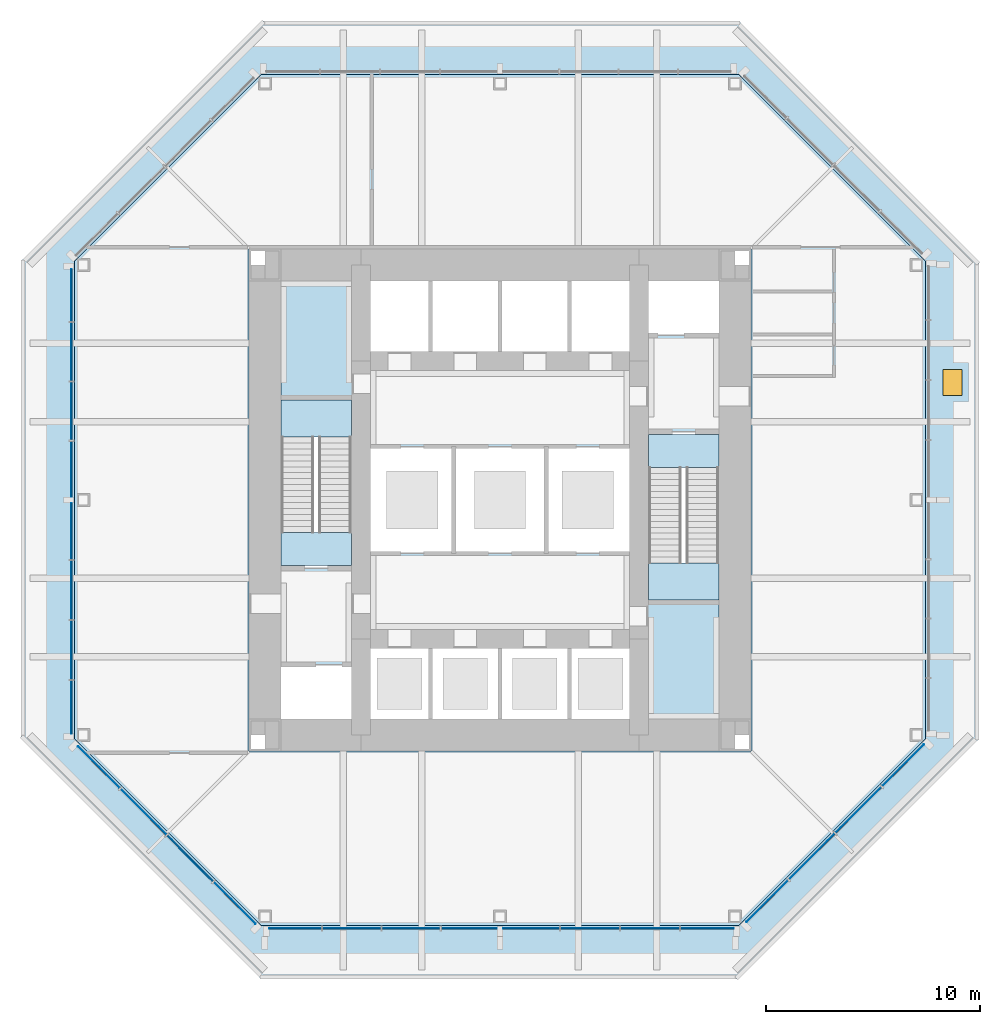
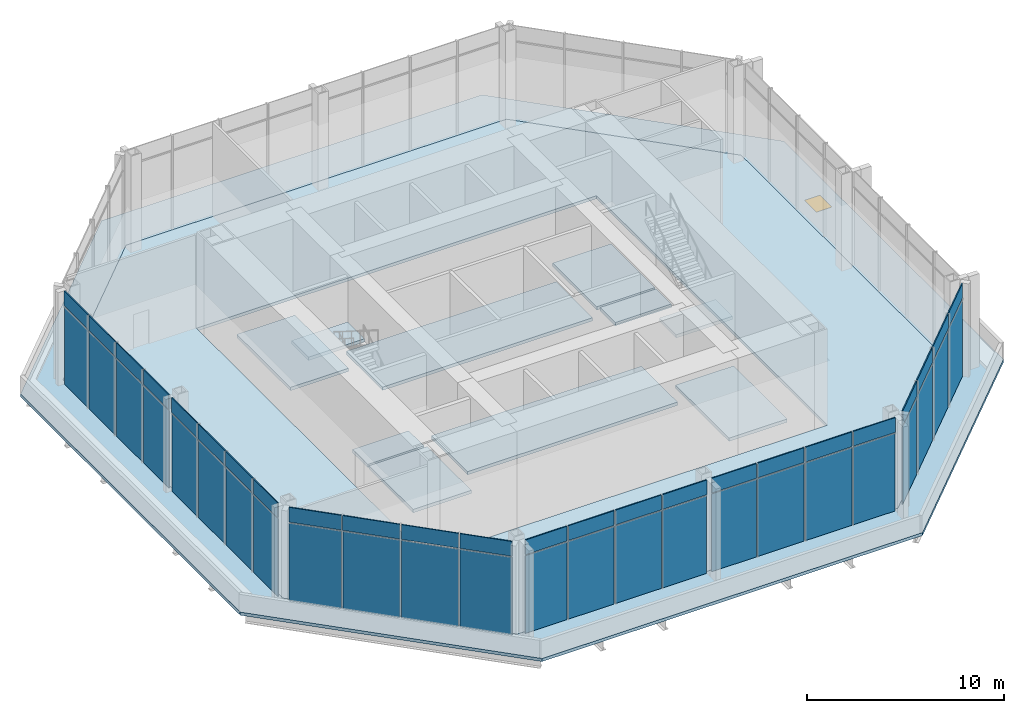
# One storey, part 5 of 10: 48 plates, 12 slabs, 1 window, 1 opening, 6 elements without a shape of their own.
"""IFC4 building model written with IfcOpenShell, lengths in metres."""

from ifc_helpers import new_model, si_unit, direction, frame, origin, origin_2d, place, context, subcontext, project, spatial, polyline, rectangle, outline, extrude, material, layer, layer_set, type_object, element, fill, aggregate, save


model = new_model("IFC4")

# Units and contexts
model_context = context("Model", 3, precision=1e-05, world=origin(), true_north=direction((0.0, 1.0)))
body_context = subcontext(model_context, "Body", "Model", "MODEL_VIEW")
ifc_project = project(units=[si_unit("LENGTHUNIT", "METRE"), si_unit("AREAUNIT", "SQUARE_METRE"), si_unit("VOLUMEUNIT", "CUBIC_METRE"), si_unit("PLANEANGLEUNIT", "RADIAN"), si_unit("MASSUNIT", "GRAM", prefix="KILO")], contexts=[model_context])

# Site, building, storey
site_placement = place(None, origin())
site = spatial("IfcSite", under=ifc_project, at=site_placement, CompositionType="ELEMENT")
building_placement = place(site_placement, origin())
building = spatial("IfcBuilding", under=site, at=building_placement, Name="Trevanion Tower", CompositionType="ELEMENT")
storey_placement = place(building_placement, frame((0.0, 0.0, 184.699951171875)))
storey = spatial("IfcBuildingStorey", under=building, at=storey_placement, Name="L43", CompositionType="ELEMENT", Elevation=184.699951171875)

# Curtain wall, plates
ifc_material_1 = material(Name="Aluminium and glass", Category="aluminium")
curtain_wall_type = type_object("IfcCurtainWallType", Name="CW3 curtain wall", PredefinedType="USERDEFINED", material=ifc_material_1)
curtain_wall_1_placement = place(storey_placement, origin())
curtain_wall_1 = element("IfcCurtainWall", 1, at=curtain_wall_1_placement, inside=storey, type_object=curtain_wall_type, Name="CW3 L43 4", ObjectType="UNITISED CURTAIN WALL", PredefinedType="USERDEFINED")
ifc_material_2 = material(Name="Aluminium spandrel panel", Category="aluminium")
ifc_layer_1 = layer(ifc_material_2, 0.06005859375)
ifc_layer_set_1 = layer_set([ifc_layer_1], Name="CW3 spandrel panel")
plate_type_1 = type_object("IfcPlateType", Name="CW3 spandrel panel", PredefinedType="CURTAIN_PANEL", material=ifc_layer_set_1)
plate_1_placement = place(storey_placement, frame((-20.050048828125, 9.579345703125, 4.8974609375), z_axis=(0.0, 0.0, 1.0), x_axis=(0.0, -1.0, 0.0)))
plate_1 = element("IfcPlate", 2, at=plate_1_placement, type_object=plate_type_1, Name="CW3 panel 1.2", PredefinedType="CURTAIN_PANEL", context=body_context, shape_type="SweptSolid", body=[
    extrude(rectangle(XDim=2.43701171875, YDim=0.06005859375, at=origin_2d()), origin(), (0.0, 0.0, 1.0), 0.91259765625),
])
plate_2_placement = place(storey_placement, frame((-20.050048828125, 6.93603515625, 4.8974609375), z_axis=(0.0, 0.0, 1.0), x_axis=(0.0, -1.0, 0.0)))
plate_2 = element("IfcPlate", 3, at=plate_2_placement, type_object=plate_type_1, Name="CW3 panel 2.2", PredefinedType="CURTAIN_PANEL", context=body_context, shape_type="SweptSolid", body=[
    extrude(rectangle(XDim=2.699462890625, YDim=0.06005859375, at=origin_2d()), origin(), (0.0, 0.0, 1.0), 0.91259765625),
])
plate_3_placement = place(storey_placement, frame((-20.050048828125, 4.16162109375, 4.8974609375), z_axis=(0.0, 0.0, 1.0), x_axis=(0.0, -1.0, 0.0)))
plate_3 = element("IfcPlate", 4, at=plate_3_placement, type_object=plate_type_1, Name="CW3 panel 3.2", PredefinedType="CURTAIN_PANEL", context=body_context, shape_type="SweptSolid", body=[
    extrude(rectangle(XDim=2.699462890625, YDim=0.06005859375, at=origin_2d()), origin(), (0.0, 0.0, 1.0), 0.91259765625),
])
plate_4_placement = place(storey_placement, frame((-20.050048828125, 1.443603515625, 4.8974609375), z_axis=(0.0, 0.0, 1.0), x_axis=(0.0, -1.0, 0.0)))
plate_4 = element("IfcPlate", 5, at=plate_4_placement, type_object=plate_type_1, Name="CW3 panel 4.2", PredefinedType="CURTAIN_PANEL", context=body_context, shape_type="SweptSolid", body=[
    extrude(rectangle(XDim=2.5869140625, YDim=0.06005859375, at=origin_2d()), origin(), (0.0, 0.0, 1.0), 0.91259765625),
])
plate_5_placement = place(storey_placement, frame((-20.050048828125, -1.459716796875, 4.8974609375), z_axis=(0.0, 0.0, 1.0), x_axis=(0.0, -1.0, 0.0)))
plate_5 = element("IfcPlate", 6, at=plate_5_placement, type_object=plate_type_1, Name="CW3 panel 5.2", PredefinedType="CURTAIN_PANEL", context=body_context, shape_type="SweptSolid", body=[
    extrude(rectangle(XDim=2.619384765625, YDim=0.06005859375, at=origin_2d()), origin(), (0.0, 0.0, 1.0), 0.91259765625),
])
plate_6_placement = place(storey_placement, frame((-20.050048828125, -4.21044921875, 4.8974609375), z_axis=(0.0, 0.0, 1.0), x_axis=(0.0, -1.0, 0.0)))
plate_6 = element("IfcPlate", 7, at=plate_6_placement, type_object=plate_type_1, Name="CW3 panel 6.2", PredefinedType="CURTAIN_PANEL", context=body_context, shape_type="SweptSolid", body=[
    extrude(rectangle(XDim=2.73193359375, YDim=0.06005859375, at=origin_2d()), origin(), (0.0, 0.0, 1.0), 0.91259765625),
])
plate_7_placement = place(storey_placement, frame((-20.050048828125, -7.017333984375, 4.8974609375), z_axis=(0.0, 0.0, 1.0), x_axis=(0.0, -1.0, 0.0)))
plate_7 = element("IfcPlate", 8, at=plate_7_placement, type_object=plate_type_1, Name="CW3 panel 7.2", PredefinedType="CURTAIN_PANEL", context=body_context, shape_type="SweptSolid", body=[
    extrude(rectangle(XDim=2.73193359375, YDim=0.06005859375, at=origin_2d()), origin(), (0.0, 0.0, 1.0), 0.91259765625),
])
plate_8_placement = place(storey_placement, frame((-20.050048828125, -9.693115234375, 4.8974609375), z_axis=(0.0, 0.0, 1.0), x_axis=(0.0, -1.0, 0.0)))
plate_8 = element("IfcPlate", 9, at=plate_8_placement, type_object=plate_type_1, Name="CW3 panel 8.2", PredefinedType="CURTAIN_PANEL", context=body_context, shape_type="SweptSolid", body=[
    extrude(rectangle(XDim=2.469482421875, YDim=0.06005859375, at=origin_2d()), origin(), (0.0, 0.0, 1.0), 0.91259765625),
])

curtain_wall_2_placement = place(storey_placement, origin())
curtain_wall_2 = element("IfcCurtainWall", 10, at=curtain_wall_2_placement, inside=storey, type_object=curtain_wall_type, Name="CW3 L43 5", ObjectType="UNITISED CURTAIN WALL", PredefinedType="USERDEFINED")
plate_9_placement = place(storey_placement, frame((-18.77392578125, -12.50390625, 4.8974609375), z_axis=(0.0, 0.0, 1.0), x_axis=(0.707106781187, -0.707106781187, 0.0)))
plate_9 = element("IfcPlate", 11, at=plate_9_placement, type_object=plate_type_1, Name="CW3 panel 1.2", PredefinedType="CURTAIN_PANEL", context=body_context, shape_type="SweptSolid", body=[
    extrude(rectangle(XDim=2.7490234375, YDim=0.06005859375, at=origin_2d()), origin(), (0.0, 0.0, 1.0), 0.91259765625),
])
plate_10_placement = place(storey_placement, frame((-16.68408203125, -14.593505859375, 4.8974609375), z_axis=(0.0, 0.0, 1.0), x_axis=(0.707106781187, -0.707106781187, 0.0)))
plate_10 = element("IfcPlate", 12, at=plate_10_placement, type_object=plate_type_1, Name="CW3 panel 2.2", PredefinedType="CURTAIN_PANEL", context=body_context, shape_type="SweptSolid", body=[
    extrude(rectangle(XDim=3.01171875, YDim=0.06005859375, at=origin_2d()), origin(), (0.0, 0.0, 1.0), 0.91259765625),
])
plate_11_placement = place(storey_placement, frame((-14.501708984375, -16.776123046875, 4.8974609375), z_axis=(0.0, 0.0, 1.0), x_axis=(0.707106781187, -0.707106781187, 0.0)))
plate_11 = element("IfcPlate", 13, at=plate_11_placement, type_object=plate_type_1, Name="CW3 panel 3.2", PredefinedType="CURTAIN_PANEL", context=body_context, shape_type="SweptSolid", body=[
    extrude(rectangle(XDim=3.01171875, YDim=0.06005859375, at=origin_2d()), origin(), (0.0, 0.0, 1.0), 0.91259765625),
])
plate_12_placement = place(storey_placement, frame((-12.411865234375, -18.865966796875, 4.8974609375), z_axis=(0.0, 0.0, 1.0), x_axis=(0.707106781187, -0.707106781187, 0.0)))
plate_12 = element("IfcPlate", 14, at=plate_12_placement, type_object=plate_type_1, Name="CW3 panel 4.2", PredefinedType="CURTAIN_PANEL", context=body_context, shape_type="SweptSolid", body=[
    extrude(rectangle(XDim=2.7490234375, YDim=0.06005859375, at=origin_2d()), origin(), (0.0, 0.0, 1.0), 0.91259765625),
])

curtain_wall_3_placement = place(storey_placement, origin())
curtain_wall_3 = element("IfcCurtainWall", 15, at=curtain_wall_3_placement, inside=storey, type_object=curtain_wall_type, Name="CW3 L43 6", ObjectType="UNITISED CURTAIN WALL", PredefinedType="USERDEFINED")
plate_13_placement = place(storey_placement, frame((-9.579345703125, -20.050048828125, 4.8974609375), z_axis=(0.0, 0.0, 1.0), x_axis=(1.0, 0.0, 0.0)))
plate_13 = element("IfcPlate", 16, at=plate_13_placement, type_object=plate_type_1, Name="CW3 panel 1.2", PredefinedType="CURTAIN_PANEL", context=body_context, shape_type="SweptSolid", body=[
    extrude(rectangle(XDim=2.43701171875, YDim=0.06005859375, at=origin_2d()), origin(), (0.0, 0.0, 1.0), 0.91259765625),
])
plate_14_placement = place(storey_placement, frame((-6.93603515625, -20.050048828125, 4.8974609375), z_axis=(0.0, 0.0, 1.0), x_axis=(1.0, 0.0, 0.0)))
plate_14 = element("IfcPlate", 17, at=plate_14_placement, type_object=plate_type_1, Name="CW3 panel 2.2", PredefinedType="CURTAIN_PANEL", context=body_context, shape_type="SweptSolid", body=[
    extrude(rectangle(XDim=2.699462890625, YDim=0.06005859375, at=origin_2d()), origin(), (0.0, 0.0, 1.0), 0.91259765625),
])
plate_15_placement = place(storey_placement, frame((-4.16162109375, -20.050048828125, 4.8974609375), z_axis=(0.0, 0.0, 1.0), x_axis=(1.0, 0.0, 0.0)))
plate_15 = element("IfcPlate", 18, at=plate_15_placement, type_object=plate_type_1, Name="CW3 panel 3.2", PredefinedType="CURTAIN_PANEL", context=body_context, shape_type="SweptSolid", body=[
    extrude(rectangle(XDim=2.699462890625, YDim=0.06005859375, at=origin_2d()), origin(), (0.0, 0.0, 1.0), 0.91259765625),
])
plate_16_placement = place(storey_placement, frame((-1.443603515625, -20.050048828125, 4.8974609375), z_axis=(0.0, 0.0, 1.0), x_axis=(1.0, 0.0, 0.0)))
plate_16 = element("IfcPlate", 19, at=plate_16_placement, type_object=plate_type_1, Name="CW3 panel 4.2", PredefinedType="CURTAIN_PANEL", context=body_context, shape_type="SweptSolid", body=[
    extrude(rectangle(XDim=2.5869140625, YDim=0.06005859375, at=origin_2d()), origin(), (0.0, 0.0, 1.0), 0.91259765625),
])
plate_17_placement = place(storey_placement, frame((1.459716796875, -20.050048828125, 4.8974609375), z_axis=(0.0, 0.0, 1.0), x_axis=(1.0, 0.0, 0.0)))
plate_17 = element("IfcPlate", 20, at=plate_17_placement, type_object=plate_type_1, Name="CW3 panel 5.2", PredefinedType="CURTAIN_PANEL", context=body_context, shape_type="SweptSolid", body=[
    extrude(rectangle(XDim=2.619384765625, YDim=0.06005859375, at=origin_2d()), origin(), (0.0, 0.0, 1.0), 0.91259765625),
])
plate_18_placement = place(storey_placement, frame((4.21044921875, -20.050048828125, 4.8974609375), z_axis=(0.0, 0.0, 1.0), x_axis=(1.0, 0.0, 0.0)))
plate_18 = element("IfcPlate", 21, at=plate_18_placement, type_object=plate_type_1, Name="CW3 panel 6.2", PredefinedType="CURTAIN_PANEL", context=body_context, shape_type="SweptSolid", body=[
    extrude(rectangle(XDim=2.73193359375, YDim=0.06005859375, at=origin_2d()), origin(), (0.0, 0.0, 1.0), 0.91259765625),
])
plate_19_placement = place(storey_placement, frame((7.017333984375, -20.050048828125, 4.8974609375), z_axis=(0.0, 0.0, 1.0), x_axis=(1.0, 0.0, 0.0)))
plate_19 = element("IfcPlate", 22, at=plate_19_placement, type_object=plate_type_1, Name="CW3 panel 7.2", PredefinedType="CURTAIN_PANEL", context=body_context, shape_type="SweptSolid", body=[
    extrude(rectangle(XDim=2.73193359375, YDim=0.06005859375, at=origin_2d()), origin(), (0.0, 0.0, 1.0), 0.91259765625),
])
plate_20_placement = place(storey_placement, frame((9.693115234375, -20.050048828125, 4.8974609375), z_axis=(0.0, 0.0, 1.0), x_axis=(1.0, 0.0, 0.0)))
plate_20 = element("IfcPlate", 23, at=plate_20_placement, type_object=plate_type_1, Name="CW3 panel 8.2", PredefinedType="CURTAIN_PANEL", context=body_context, shape_type="SweptSolid", body=[
    extrude(rectangle(XDim=2.469482421875, YDim=0.06005859375, at=origin_2d()), origin(), (0.0, 0.0, 1.0), 0.91259765625),
])

curtain_wall_4_placement = place(storey_placement, origin())
curtain_wall_4 = element("IfcCurtainWall", 24, at=curtain_wall_4_placement, inside=storey, type_object=curtain_wall_type, Name="CW3 L43 7", ObjectType="UNITISED CURTAIN WALL", PredefinedType="USERDEFINED")
plate_21_placement = place(storey_placement, frame((12.50390625, -18.77392578125, 4.8974609375), z_axis=(0.0, 0.0, 1.0), x_axis=(0.707106781187, 0.707106781187, 0.0)))
plate_21 = element("IfcPlate", 25, at=plate_21_placement, type_object=plate_type_1, Name="CW3 panel 1.2", PredefinedType="CURTAIN_PANEL", context=body_context, shape_type="SweptSolid", body=[
    extrude(rectangle(XDim=2.7490234375, YDim=0.06005859375, at=origin_2d()), origin(), (0.0, 0.0, 1.0), 0.91259765625),
])
plate_22_placement = place(storey_placement, frame((14.593505859375, -16.68408203125, 4.8974609375), z_axis=(0.0, 0.0, 1.0), x_axis=(0.707106781187, 0.707106781187, 0.0)))
plate_22 = element("IfcPlate", 26, at=plate_22_placement, type_object=plate_type_1, Name="CW3 panel 2.2", PredefinedType="CURTAIN_PANEL", context=body_context, shape_type="SweptSolid", body=[
    extrude(rectangle(XDim=3.01171875, YDim=0.06005859375, at=origin_2d()), origin(), (0.0, 0.0, 1.0), 0.91259765625),
])
plate_23_placement = place(storey_placement, frame((16.776123046875, -14.501708984375, 4.8974609375), z_axis=(0.0, 0.0, 1.0), x_axis=(0.707106781187, 0.707106781187, 0.0)))
plate_23 = element("IfcPlate", 27, at=plate_23_placement, type_object=plate_type_1, Name="CW3 panel 3.2", PredefinedType="CURTAIN_PANEL", context=body_context, shape_type="SweptSolid", body=[
    extrude(rectangle(XDim=3.01171875, YDim=0.06005859375, at=origin_2d()), origin(), (0.0, 0.0, 1.0), 0.91259765625),
])
plate_24_placement = place(storey_placement, frame((18.865966796875, -12.411865234375, 4.8974609375), z_axis=(0.0, 0.0, 1.0), x_axis=(0.707106781187, 0.707106781187, 0.0)))
plate_24 = element("IfcPlate", 28, at=plate_24_placement, type_object=plate_type_1, Name="CW3 panel 4.2", PredefinedType="CURTAIN_PANEL", context=body_context, shape_type="SweptSolid", body=[
    extrude(rectangle(XDim=2.7490234375, YDim=0.06005859375, at=origin_2d()), origin(), (0.0, 0.0, 1.0), 0.91259765625),
])

# Plate
ifc_material_3 = material(Name="Insulating glass unit", Category="glass")
ifc_layer_2 = layer(ifc_material_3, 0.028076171875)
ifc_layer_set_2 = layer_set([ifc_layer_2], Name="CW3 vision panel")
plate_type_2 = type_object("IfcPlateType", Name="CW3 vision panel", PredefinedType="CURTAIN_PANEL", material=ifc_layer_set_2)
plate_25_placement = place(storey_placement, frame((-20.050048828125, 9.579345703125, -0.114990234375), z_axis=(0.0, 0.0, 1.0), x_axis=(0.0, -1.0, 0.0)))
plate_25 = element("IfcPlate", 29, at=plate_25_placement, type_object=plate_type_2, Name="CW3 panel 1.1", PredefinedType="CURTAIN_PANEL", context=body_context, shape_type="SweptSolid", body=[
    extrude(rectangle(XDim=2.43701171875, YDim=0.028076171875, at=origin_2d()), origin(), (0.0, 0.0, 1.0), 4.9375),
])

plate_26_placement = place(storey_placement, frame((-20.050048828125, 6.93603515625, -0.114990234375), z_axis=(0.0, 0.0, 1.0), x_axis=(0.0, -1.0, 0.0)))
plate_26 = element("IfcPlate", 30, at=plate_26_placement, type_object=plate_type_2, Name="CW3 panel 2.1", PredefinedType="CURTAIN_PANEL", context=body_context, shape_type="SweptSolid", body=[
    extrude(rectangle(XDim=2.699462890625, YDim=0.028076171875, at=origin_2d()), origin(), (0.0, 0.0, 1.0), 4.9375),
])

plate_27_placement = place(storey_placement, frame((-20.050048828125, 4.16162109375, -0.114990234375), z_axis=(0.0, 0.0, 1.0), x_axis=(0.0, -1.0, 0.0)))
plate_27 = element("IfcPlate", 31, at=plate_27_placement, type_object=plate_type_2, Name="CW3 panel 3.1", PredefinedType="CURTAIN_PANEL", context=body_context, shape_type="SweptSolid", body=[
    extrude(rectangle(XDim=2.699462890625, YDim=0.028076171875, at=origin_2d()), origin(), (0.0, 0.0, 1.0), 4.9375),
])

plate_28_placement = place(storey_placement, frame((-20.050048828125, 1.443603515625, -0.114990234375), z_axis=(0.0, 0.0, 1.0), x_axis=(0.0, -1.0, 0.0)))
plate_28 = element("IfcPlate", 32, at=plate_28_placement, type_object=plate_type_2, Name="CW3 panel 4.1", PredefinedType="CURTAIN_PANEL", context=body_context, shape_type="SweptSolid", body=[
    extrude(rectangle(XDim=2.5869140625, YDim=0.028076171875, at=origin_2d()), origin(), (0.0, 0.0, 1.0), 4.9375),
])

plate_29_placement = place(storey_placement, frame((-20.050048828125, -1.459716796875, -0.114990234375), z_axis=(0.0, 0.0, 1.0), x_axis=(0.0, -1.0, 0.0)))
plate_29 = element("IfcPlate", 33, at=plate_29_placement, type_object=plate_type_2, Name="CW3 panel 5.1", PredefinedType="CURTAIN_PANEL", context=body_context, shape_type="SweptSolid", body=[
    extrude(rectangle(XDim=2.619384765625, YDim=0.028076171875, at=origin_2d()), origin(), (0.0, 0.0, 1.0), 4.9375),
])

plate_30_placement = place(storey_placement, frame((-20.050048828125, -4.21044921875, -0.114990234375), z_axis=(0.0, 0.0, 1.0), x_axis=(0.0, -1.0, 0.0)))
plate_30 = element("IfcPlate", 34, at=plate_30_placement, type_object=plate_type_2, Name="CW3 panel 6.1", PredefinedType="CURTAIN_PANEL", context=body_context, shape_type="SweptSolid", body=[
    extrude(rectangle(XDim=2.73193359375, YDim=0.028076171875, at=origin_2d()), origin(), (0.0, 0.0, 1.0), 4.9375),
])

plate_31_placement = place(storey_placement, frame((-20.050048828125, -7.017333984375, -0.114990234375), z_axis=(0.0, 0.0, 1.0), x_axis=(0.0, -1.0, 0.0)))
plate_31 = element("IfcPlate", 35, at=plate_31_placement, type_object=plate_type_2, Name="CW3 panel 7.1", PredefinedType="CURTAIN_PANEL", context=body_context, shape_type="SweptSolid", body=[
    extrude(rectangle(XDim=2.73193359375, YDim=0.028076171875, at=origin_2d()), origin(), (0.0, 0.0, 1.0), 4.9375),
])

plate_32_placement = place(storey_placement, frame((-20.050048828125, -9.693115234375, -0.114990234375), z_axis=(0.0, 0.0, 1.0), x_axis=(0.0, -1.0, 0.0)))
plate_32 = element("IfcPlate", 36, at=plate_32_placement, type_object=plate_type_2, Name="CW3 panel 8.1", PredefinedType="CURTAIN_PANEL", context=body_context, shape_type="SweptSolid", body=[
    extrude(rectangle(XDim=2.469482421875, YDim=0.028076171875, at=origin_2d()), origin(), (0.0, 0.0, 1.0), 4.9375),
])

aggregate(curtain_wall_1, [plate_25, plate_1, plate_26, plate_2, plate_27, plate_3, plate_28, plate_4, plate_29, plate_5, plate_30, plate_6, plate_31, plate_7, plate_32, plate_8])

plate_33_placement = place(storey_placement, frame((-18.77392578125, -12.50390625, -0.114990234375), z_axis=(0.0, 0.0, 1.0), x_axis=(0.707106781187, -0.707106781187, 0.0)))
plate_33 = element("IfcPlate", 37, at=plate_33_placement, type_object=plate_type_2, Name="CW3 panel 1.1", PredefinedType="CURTAIN_PANEL", context=body_context, shape_type="SweptSolid", body=[
    extrude(rectangle(XDim=2.7490234375, YDim=0.028076171875, at=origin_2d()), origin(), (0.0, 0.0, 1.0), 4.9375),
])

plate_34_placement = place(storey_placement, frame((-16.68408203125, -14.593505859375, -0.114990234375), z_axis=(0.0, 0.0, 1.0), x_axis=(0.707106781187, -0.707106781187, 0.0)))
plate_34 = element("IfcPlate", 38, at=plate_34_placement, type_object=plate_type_2, Name="CW3 panel 2.1", PredefinedType="CURTAIN_PANEL", context=body_context, shape_type="SweptSolid", body=[
    extrude(rectangle(XDim=3.01171875, YDim=0.028076171875, at=origin_2d()), origin(), (0.0, 0.0, 1.0), 4.9375),
])

plate_35_placement = place(storey_placement, frame((-14.501708984375, -16.776123046875, -0.114990234375), z_axis=(0.0, 0.0, 1.0), x_axis=(0.707106781187, -0.707106781187, 0.0)))
plate_35 = element("IfcPlate", 39, at=plate_35_placement, type_object=plate_type_2, Name="CW3 panel 3.1", PredefinedType="CURTAIN_PANEL", context=body_context, shape_type="SweptSolid", body=[
    extrude(rectangle(XDim=3.01171875, YDim=0.028076171875, at=origin_2d()), origin(), (0.0, 0.0, 1.0), 4.9375),
])

plate_36_placement = place(storey_placement, frame((-12.411865234375, -18.865966796875, -0.114990234375), z_axis=(0.0, 0.0, 1.0), x_axis=(0.707106781187, -0.707106781187, 0.0)))
plate_36 = element("IfcPlate", 40, at=plate_36_placement, type_object=plate_type_2, Name="CW3 panel 4.1", PredefinedType="CURTAIN_PANEL", context=body_context, shape_type="SweptSolid", body=[
    extrude(rectangle(XDim=2.7490234375, YDim=0.028076171875, at=origin_2d()), origin(), (0.0, 0.0, 1.0), 4.9375),
])

aggregate(curtain_wall_2, [plate_33, plate_9, plate_34, plate_10, plate_35, plate_11, plate_36, plate_12])

plate_37_placement = place(storey_placement, frame((-9.579345703125, -20.050048828125, -0.114990234375), z_axis=(0.0, 0.0, 1.0), x_axis=(1.0, 0.0, 0.0)))
plate_37 = element("IfcPlate", 41, at=plate_37_placement, type_object=plate_type_2, Name="CW3 panel 1.1", PredefinedType="CURTAIN_PANEL", context=body_context, shape_type="SweptSolid", body=[
    extrude(rectangle(XDim=2.43701171875, YDim=0.028076171875, at=origin_2d()), origin(), (0.0, 0.0, 1.0), 4.9375),
])

plate_38_placement = place(storey_placement, frame((-6.93603515625, -20.050048828125, -0.114990234375), z_axis=(0.0, 0.0, 1.0), x_axis=(1.0, 0.0, 0.0)))
plate_38 = element("IfcPlate", 42, at=plate_38_placement, type_object=plate_type_2, Name="CW3 panel 2.1", PredefinedType="CURTAIN_PANEL", context=body_context, shape_type="SweptSolid", body=[
    extrude(rectangle(XDim=2.699462890625, YDim=0.028076171875, at=origin_2d()), origin(), (0.0, 0.0, 1.0), 4.9375),
])

plate_39_placement = place(storey_placement, frame((-4.16162109375, -20.050048828125, -0.114990234375), z_axis=(0.0, 0.0, 1.0), x_axis=(1.0, 0.0, 0.0)))
plate_39 = element("IfcPlate", 43, at=plate_39_placement, type_object=plate_type_2, Name="CW3 panel 3.1", PredefinedType="CURTAIN_PANEL", context=body_context, shape_type="SweptSolid", body=[
    extrude(rectangle(XDim=2.699462890625, YDim=0.028076171875, at=origin_2d()), origin(), (0.0, 0.0, 1.0), 4.9375),
])

plate_40_placement = place(storey_placement, frame((-1.443603515625, -20.050048828125, -0.114990234375), z_axis=(0.0, 0.0, 1.0), x_axis=(1.0, 0.0, 0.0)))
plate_40 = element("IfcPlate", 44, at=plate_40_placement, type_object=plate_type_2, Name="CW3 panel 4.1", PredefinedType="CURTAIN_PANEL", context=body_context, shape_type="SweptSolid", body=[
    extrude(rectangle(XDim=2.5869140625, YDim=0.028076171875, at=origin_2d()), origin(), (0.0, 0.0, 1.0), 4.9375),
])

plate_41_placement = place(storey_placement, frame((1.459716796875, -20.050048828125, -0.114990234375), z_axis=(0.0, 0.0, 1.0), x_axis=(1.0, 0.0, 0.0)))
plate_41 = element("IfcPlate", 45, at=plate_41_placement, type_object=plate_type_2, Name="CW3 panel 5.1", PredefinedType="CURTAIN_PANEL", context=body_context, shape_type="SweptSolid", body=[
    extrude(rectangle(XDim=2.619384765625, YDim=0.028076171875, at=origin_2d()), origin(), (0.0, 0.0, 1.0), 4.9375),
])

plate_42_placement = place(storey_placement, frame((4.21044921875, -20.050048828125, -0.114990234375), z_axis=(0.0, 0.0, 1.0), x_axis=(1.0, 0.0, 0.0)))
plate_42 = element("IfcPlate", 46, at=plate_42_placement, type_object=plate_type_2, Name="CW3 panel 6.1", PredefinedType="CURTAIN_PANEL", context=body_context, shape_type="SweptSolid", body=[
    extrude(rectangle(XDim=2.73193359375, YDim=0.028076171875, at=origin_2d()), origin(), (0.0, 0.0, 1.0), 4.9375),
])

plate_43_placement = place(storey_placement, frame((7.017333984375, -20.050048828125, -0.114990234375), z_axis=(0.0, 0.0, 1.0), x_axis=(1.0, 0.0, 0.0)))
plate_43 = element("IfcPlate", 47, at=plate_43_placement, type_object=plate_type_2, Name="CW3 panel 7.1", PredefinedType="CURTAIN_PANEL", context=body_context, shape_type="SweptSolid", body=[
    extrude(rectangle(XDim=2.73193359375, YDim=0.028076171875, at=origin_2d()), origin(), (0.0, 0.0, 1.0), 4.9375),
])

plate_44_placement = place(storey_placement, frame((9.693115234375, -20.050048828125, -0.114990234375), z_axis=(0.0, 0.0, 1.0), x_axis=(1.0, 0.0, 0.0)))
plate_44 = element("IfcPlate", 48, at=plate_44_placement, type_object=plate_type_2, Name="CW3 panel 8.1", PredefinedType="CURTAIN_PANEL", context=body_context, shape_type="SweptSolid", body=[
    extrude(rectangle(XDim=2.469482421875, YDim=0.028076171875, at=origin_2d()), origin(), (0.0, 0.0, 1.0), 4.9375),
])

aggregate(curtain_wall_3, [plate_37, plate_13, plate_38, plate_14, plate_39, plate_15, plate_40, plate_16, plate_41, plate_17, plate_42, plate_18, plate_43, plate_19, plate_44, plate_20])

plate_45_placement = place(storey_placement, frame((12.50390625, -18.77392578125, -0.114990234375), z_axis=(0.0, 0.0, 1.0), x_axis=(0.707106781187, 0.707106781187, 0.0)))
plate_45 = element("IfcPlate", 49, at=plate_45_placement, type_object=plate_type_2, Name="CW3 panel 1.1", PredefinedType="CURTAIN_PANEL", context=body_context, shape_type="SweptSolid", body=[
    extrude(rectangle(XDim=2.7490234375, YDim=0.028076171875, at=origin_2d()), origin(), (0.0, 0.0, 1.0), 4.9375),
])

plate_46_placement = place(storey_placement, frame((14.593505859375, -16.68408203125, -0.114990234375), z_axis=(0.0, 0.0, 1.0), x_axis=(0.707106781187, 0.707106781187, 0.0)))
plate_46 = element("IfcPlate", 50, at=plate_46_placement, type_object=plate_type_2, Name="CW3 panel 2.1", PredefinedType="CURTAIN_PANEL", context=body_context, shape_type="SweptSolid", body=[
    extrude(rectangle(XDim=3.01171875, YDim=0.028076171875, at=origin_2d()), origin(), (0.0, 0.0, 1.0), 4.9375),
])

plate_47_placement = place(storey_placement, frame((16.776123046875, -14.501708984375, -0.114990234375), z_axis=(0.0, 0.0, 1.0), x_axis=(0.707106781187, 0.707106781187, 0.0)))
plate_47 = element("IfcPlate", 51, at=plate_47_placement, type_object=plate_type_2, Name="CW3 panel 3.1", PredefinedType="CURTAIN_PANEL", context=body_context, shape_type="SweptSolid", body=[
    extrude(rectangle(XDim=3.01171875, YDim=0.028076171875, at=origin_2d()), origin(), (0.0, 0.0, 1.0), 4.9375),
])

plate_48_placement = place(storey_placement, frame((18.865966796875, -12.411865234375, -0.114990234375), z_axis=(0.0, 0.0, 1.0), x_axis=(0.707106781187, 0.707106781187, 0.0)))
plate_48 = element("IfcPlate", 52, at=plate_48_placement, type_object=plate_type_2, Name="CW3 panel 4.1", PredefinedType="CURTAIN_PANEL", context=body_context, shape_type="SweptSolid", body=[
    extrude(rectangle(XDim=2.7490234375, YDim=0.028076171875, at=origin_2d()), origin(), (0.0, 0.0, 1.0), 4.9375),
])

aggregate(curtain_wall_4, [plate_45, plate_21, plate_46, plate_22, plate_47, plate_23, plate_48, plate_24])

# Slab, opening, window
ifc_material_4 = material(Name="Concrete 5,000 psi on composite metal deck", Category="concrete")
ifc_layer_3 = layer(ifc_material_4, 0.18994140625)
ifc_layer_set_3 = layer_set([ifc_layer_3], Name="RS1 composite roof 190")
slab_type_1 = type_object("IfcSlabType", Name="RS1 composite roof 190", PredefinedType="ROOF", material=ifc_layer_set_3)
slab_1_placement = place(storey_placement, frame((0.0, 0.0, -0.18994140625)))
slab_1 = element("IfcSlab", 53, at=slab_1_placement, inside=storey, type_object=slab_type_1, Name="RS1 L43 setback roof", PredefinedType="ROOF", context=body_context, shape_type="SweptSolid", body=[
    extrude(outline(polyline([(22.419921875, -11.174072265625), (22.419921875, 11.174072265625), (11.174072265625, 22.419921875), (-11.174072265625, 22.419921875), (-22.419921875, 11.174072265625), (-22.419921875, -11.174072265625), (-11.174072265625, -22.419921875), (11.174072265625, -22.419921875), (22.419921875, -11.174072265625)]), holes=[polyline([(11.174072265625, -19.919921875), (-11.174072265625, -19.919921875), (-19.919921875, -11.174072265625), (-19.919921875, 11.174072265625), (-11.174072265625, 19.919921875), (11.174072265625, 19.919921875), (19.919921875, 11.174072265625), (19.919921875, -11.174072265625), (11.174072265625, -19.919921875)])]), origin(), (0.0, 0.0, 1.0), 0.18994140625),
])
opening_placement = place(slab_1_placement, frame((21.169921875, 5.5, 0.0)))
opening = element("IfcOpeningElement", 54, at=opening_placement, cuts=slab_1, Name="Opening RH1", PredefinedType="OPENING", context=body_context, shape_type="SweptSolid", body=[
    extrude(rectangle(XDim=0.89990234375, YDim=1.199951171875, at=origin_2d()), origin(), (0.0, 0.0, 1.0), 0.18994140625),
])
ifc_material_5 = material(Name="Galvanised steel, insulated", Category="steel")
window_type = type_object("IfcWindowType", Name="RH1 roof access hatch 900x1200", PartitioningType="SINGLE_PANEL", PredefinedType="SKYLIGHT", material=ifc_material_5)
window_placement = place(opening_placement, frame((0.0, 0.0, 0.139892578125)))
window = element("IfcWindow", 55, at=window_placement, inside=storey, type_object=window_type, Name="RH1 L43", OverallHeight=1.199951171875, OverallWidth=0.89990234375, PartitioningType="SINGLE_PANEL", PredefinedType="SKYLIGHT", context=body_context, shape_type="SweptSolid", body=[
    extrude(rectangle(XDim=0.89990234375, YDim=1.199951171875, at=origin_2d()), origin(), (0.0, 0.0, 1.0), 0.050048828125),
])
fill(opening, window)

# Slabs
ifc_material_6 = material(Name="Concrete 5,000 psi on composite metal deck", Category="concrete")
ifc_layer_4 = layer(ifc_material_6, 0.18994140625)
ifc_layer_set_4 = layer_set([ifc_layer_4], Name="SL1 composite floor 190")
slab_type_2 = type_object("IfcSlabType", Name="SL1 composite floor 190", PredefinedType="FLOOR", material=ifc_layer_set_4)
slab_2_placement = place(storey_placement, frame((0.0, 0.0, -0.18994140625)))
element("IfcSlab", 56, at=slab_2_placement, inside=storey, type_object=slab_type_2, Name="SL1 L43 floor", PredefinedType="FLOOR", context=body_context, shape_type="SweptSolid", body=[
    extrude(outline(polyline([(19.919921875, -11.174072265625), (19.919921875, 11.174072265625), (11.174072265625, 19.919921875), (-11.174072265625, 19.919921875), (-19.919921875, 11.174072265625), (-19.919921875, -11.174072265625), (-11.174072265625, -19.919921875), (11.174072265625, -19.919921875), (19.919921875, -11.174072265625)]), holes=[polyline([(11.75, -11.75), (11.75, 11.75), (-11.75, 11.75), (-11.75, -11.75), (11.75, -11.75)])]), origin(), (0.0, 0.0, 1.0), 0.18994140625),
])
ifc_material_7 = material(Name="Concrete 5,000 psi", Category="concrete")
ifc_layer_5 = layer(ifc_material_7, 0.199951171875)
ifc_layer_set_5 = layer_set([ifc_layer_5], Name="SL2 core floor 200")
slab_type_3 = type_object("IfcSlabType", Name="SL2 core floor 200", PredefinedType="FLOOR", material=ifc_layer_set_5)
slab_3_placement = place(storey_placement, frame((0.0, 0.0, -0.199951171875)))
element("IfcSlab", 57, at=slab_3_placement, inside=storey, type_object=slab_type_3, Name="SL2 L43 core floor 1", PredefinedType="FLOOR", context=body_context, shape_type="SweptSolid", body=[
    extrude(outline(polyline([(10.25, -4.804931640625), (10.25, -10.25), (6.830078125, -10.25), (6.830078125, -4.804931640625), (10.25, -4.804931640625)])), origin(), (0.0, 0.0, 1.0), 0.199951171875),
])
slab_4_placement = place(storey_placement, frame((0.0, 0.0, -0.199951171875)))
element("IfcSlab", 58, at=slab_4_placement, inside=storey, type_object=slab_type_3, Name="SL2 L43 core floor 2", PredefinedType="FLOOR", context=body_context, shape_type="SweptSolid", body=[
    extrude(outline(polyline([(-6.830078125, -3.205078125), (-6.830078125, -7.695068359375), (-10.25, -7.695068359375), (-10.25, -3.205078125), (-6.830078125, -3.205078125)])), origin(), (0.0, 0.0, 1.0), 0.199951171875),
])
slab_5_placement = place(storey_placement, frame((0.0, 0.0, -0.199951171875)))
element("IfcSlab", 59, at=slab_5_placement, inside=storey, type_object=slab_type_3, Name="SL2 L43 core floor 3", PredefinedType="FLOOR", context=body_context, shape_type="SweptSolid", body=[
    extrude(outline(polyline([(6.169921875, -6.169921875), (-6.169921875, -6.169921875), (-6.169921875, -2.47998046875), (6.169921875, -2.47998046875), (6.169921875, -6.169921875)])), origin(), (0.0, 0.0, 1.0), 0.199951171875),
])
slab_6_placement = place(storey_placement, frame((0.0, 0.0, -0.199951171875)))
element("IfcSlab", 60, at=slab_6_placement, inside=storey, type_object=slab_type_3, Name="SL2 L43 core floor 4", PredefinedType="FLOOR", context=body_context, shape_type="SweptSolid", body=[
    extrude(outline(polyline([(6.169921875, 6.169921875), (6.169921875, 2.47998046875), (-6.169921875, 2.47998046875), (-6.169921875, 6.169921875), (6.169921875, 6.169921875)])), origin(), (0.0, 0.0, 1.0), 0.199951171875),
])
slab_7_placement = place(storey_placement, frame((0.0, 0.0, -0.199951171875)))
element("IfcSlab", 61, at=slab_7_placement, inside=storey, type_object=slab_type_3, Name="SL2 L43 core floor 5", PredefinedType="FLOOR", context=body_context, shape_type="SweptSolid", body=[
    extrude(outline(polyline([(6.830078125, 3.205078125), (6.830078125, 7.695068359375), (10.25, 7.695068359375), (10.25, 3.205078125), (6.830078125, 3.205078125)])), origin(), (0.0, 0.0, 1.0), 0.199951171875),
])
slab_8_placement = place(storey_placement, frame((0.0, 0.0, -0.199951171875)))
element("IfcSlab", 62, at=slab_8_placement, inside=storey, type_object=slab_type_3, Name="SL2 L43 core floor 6", PredefinedType="FLOOR", context=body_context, shape_type="SweptSolid", body=[
    extrude(outline(polyline([(-6.830078125, 4.804931640625), (-10.25, 4.804931640625), (-10.25, 10.25), (-6.830078125, 10.25), (-6.830078125, 4.804931640625)])), origin(), (0.0, 0.0, 1.0), 0.199951171875),
])

# Stair, slabs
ifc_material_8 = material(Name="Concrete 5,000 psi on steel stringers", Category="concrete")
stair_type = type_object("IfcStairType", Name="ST stair", PredefinedType="HALF_TURN_STAIR", material=ifc_material_8)
stair_1_placement = place(storey_placement, origin())
stair_1 = element("IfcStair", 63, at=stair_1_placement, inside=storey, type_object=stair_type, Name="ST1 L43", PredefinedType="HALF_TURN_STAIR")
ifc_material_9 = material(Name="Concrete 5,000 psi in steel pan", Category="concrete")
ifc_layer_6 = layer(ifc_material_9, 0.199951171875)
ifc_layer_set_6 = layer_set([ifc_layer_6], Name="STL stair landing 200")
slab_type_4 = type_object("IfcSlabType", Name="STL stair landing 200", PredefinedType="LANDING", material=ifc_layer_set_6)
slab_9_placement = place(storey_placement, frame((0.0, 0.0, -0.199951171875)))
slab_9 = element("IfcSlab", 64, at=slab_9_placement, type_object=slab_type_4, Name="ST1 landing 1", PredefinedType="LANDING", context=body_context, shape_type="SweptSolid", body=[
    extrude(outline(polyline([(6.949951171875, 1.52490234375), (10.25, 1.52490234375), (10.25, 3.074951171875), (6.949951171875, 3.074951171875), (6.949951171875, 1.52490234375)])), origin(), (0.0, 0.0, 1.0), 0.199951171875),
])
slab_10_placement = place(storey_placement, frame((0.0, 0.0, 2.800048828125)))
slab_10 = element("IfcSlab", 65, at=slab_10_placement, type_object=slab_type_4, Name="ST1 landing 2", PredefinedType="LANDING", context=body_context, shape_type="SweptSolid", body=[
    extrude(outline(polyline([(6.949951171875, -4.675048828125), (10.25, -4.675048828125), (10.25, -2.955078125), (6.949951171875, -2.955078125), (6.949951171875, -4.675048828125)])), origin(), (0.0, 0.0, 1.0), 0.199951171875),
])
aggregate(stair_1, [slab_9, slab_10])

stair_2_placement = place(storey_placement, origin())
stair_2 = element("IfcStair", 66, at=stair_2_placement, inside=storey, type_object=stair_type, Name="ST2 L43", PredefinedType="HALF_TURN_STAIR")
slab_11_placement = place(storey_placement, frame((0.0, 0.0, -0.199951171875)))
slab_11 = element("IfcSlab", 67, at=slab_11_placement, type_object=slab_type_4, Name="ST2 landing 1", PredefinedType="LANDING", context=body_context, shape_type="SweptSolid", body=[
    extrude(outline(polyline([(-6.949951171875, -1.52490234375), (-10.25, -1.52490234375), (-10.25, -3.074951171875), (-6.949951171875, -3.074951171875), (-6.949951171875, -1.52490234375)])), origin(), (0.0, 0.0, 1.0), 0.199951171875),
])
slab_12_placement = place(storey_placement, frame((0.0, 0.0, 2.800048828125)))
slab_12 = element("IfcSlab", 68, at=slab_12_placement, type_object=slab_type_4, Name="ST2 landing 2", PredefinedType="LANDING", context=body_context, shape_type="SweptSolid", body=[
    extrude(outline(polyline([(-6.949951171875, 4.675048828125), (-10.25, 4.675048828125), (-10.25, 2.955078125), (-6.949951171875, 2.955078125), (-6.949951171875, 4.675048828125)])), origin(), (0.0, 0.0, 1.0), 0.199951171875),
])
aggregate(stair_2, [slab_11, slab_12])

save(model, "model.ifc")
